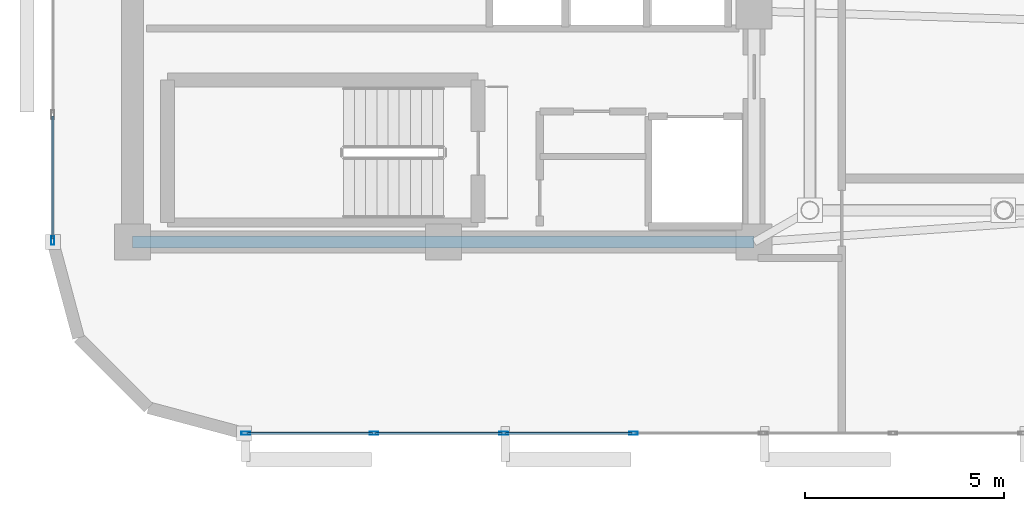
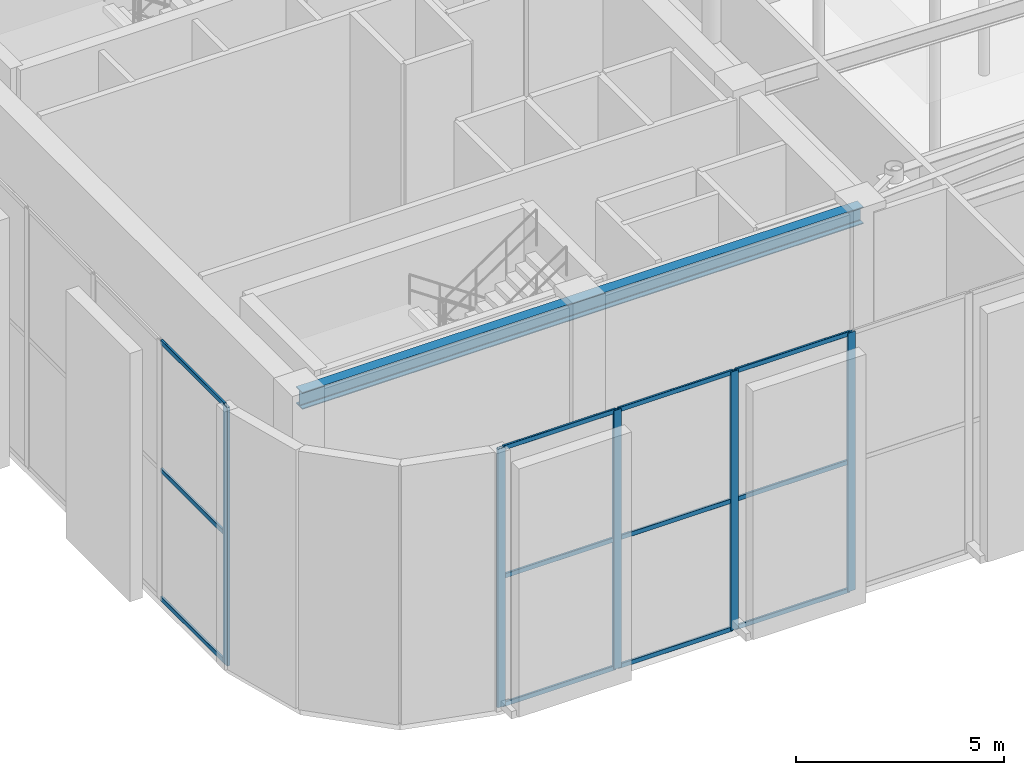
# One storey, part 2 of 22: 17 members, 1 beam, 2 elements without a shape of their own.
"""IFC4 building model written with IfcOpenShell, lengths in metres."""

from ifc_helpers import new_model, si_unit, direction, frame, origin, origin_2d, place, context, subcontext, project, spatial, hollow_rectangle, i_section, extrude, material, layer, layer_set, material_profile, profile_set, type_object, element, aggregate, save


model = new_model("IFC4")

# Units and contexts
model_context = context("Model", 3, precision=1e-05, world=origin(), true_north=direction((0.0, 1.0)))
body_context = subcontext(model_context, "Body", "Model", "MODEL_VIEW")
ifc_project = project(units=[si_unit("LENGTHUNIT", "METRE"), si_unit("AREAUNIT", "SQUARE_METRE"), si_unit("VOLUMEUNIT", "CUBIC_METRE"), si_unit("PLANEANGLEUNIT", "RADIAN"), si_unit("MASSUNIT", "GRAM", prefix="KILO")], contexts=[model_context])

# Site, building, storey
site_placement = place(None, origin())
site = spatial("IfcSite", under=ifc_project, at=site_placement, CompositionType="ELEMENT")
building_placement = place(site_placement, origin())
building = spatial("IfcBuilding", under=site, at=building_placement, Name="An Khanh Terracotta Commons", CompositionType="ELEMENT")
storey_placement = place(building_placement, frame((0.0, 0.0, 300.39990234375)))
storey = spatial("IfcBuildingStorey", under=building, at=storey_placement, Name="L78 Crown Damper Chamber", CompositionType="ELEMENT", Elevation=300.39990234375)

# Beam
ifc_material_1 = material(Name="Steel S355J2", Category="steel")
ifc_material_profile_1 = material_profile(ifc_material_1, i_section(OverallWidth=0.300048828125, OverallDepth=0.5, WebThickness=0.014404296875, FlangeThickness=0.028076171875, FilletRadius=0.027099609375, at=origin_2d()), Name="HEB500")
ifc_profile_set_1 = profile_set([ifc_material_profile_1], Name="Steel S355J2")
beam_type = type_object("IfcBeamType", Name="BM-HEB500", PredefinedType="BEAM", material=ifc_profile_set_1)
beam_placement = place(storey_placement, frame((21.60009765625, 14.39990234375, 7.130126953125), z_axis=(1.0, 0.0, 0.0), x_axis=(0.0, 1.0, 0.0)))
element("IfcBeam", 1, at=beam_placement, inside=storey, type_object=beam_type, Name="L78 Crown Damper Chamber Core South Coupling Girder", PredefinedType="BEAM", context=body_context, shape_type="SweptSolid", body=[
    extrude(i_section(OverallWidth=0.300048828125, OverallDepth=0.5, WebThickness=0.014404296875, FlangeThickness=0.028076171875, FilletRadius=0.027099609375, at=origin_2d()), origin(), (0.0, 0.0, 1.0), 15.599853515625),
])

# Curtain wall, members
ifc_material_2 = material(Name="Anodised Aluminium 6063-T6", Category="aluminium")
ifc_layer = layer(ifc_material_2, 0.25, Name="Anodised Aluminium 6063-T6")
ifc_layer_set = layer_set([ifc_layer], Name="Anodised Aluminium 6063-T6")
curtain_wall_type = type_object("IfcCurtainWallType", Name="CW-SYS-05", PredefinedType="USERDEFINED", material=ifc_layer_set)
curtain_wall_1_placement = place(storey_placement, origin())
curtain_wall_1 = element("IfcCurtainWall", 2, at=curtain_wall_1_placement, inside=storey, type_object=curtain_wall_type, Name="L78 Crown Damper Chamber CW-05 Unitised Curtain Wall CW-L78-04", ObjectType="UNITISED CURTAIN WALL", PredefinedType="USERDEFINED")
ifc_material_profile_2 = material_profile(ifc_material_2, hollow_rectangle(XDim=0.080078125, YDim=0.219970703125, WallThickness=0.0048828125, InnerFilletRadius=0.0048828125, OuterFilletRadius=0.010009765625, at=origin_2d()), Name="RHS220x80x5")
ifc_profile_set_2 = profile_set([ifc_material_profile_2], Name="Anodised Aluminium 6063-T6")
member_type_1 = type_object("IfcMemberType", Name="CWM-RHS220x80x5", PredefinedType="MULLION", material=ifc_profile_set_2)
member_1_placement = place(storey_placement, frame((24.43994140625, 9.60009765625, 0.0), z_axis=(0.0, 0.0, 1.0), x_axis=(0.0, 1.0, 0.0)))
member_1 = element("IfcMember", 3, at=member_1_placement, type_object=member_type_1, Name="CW-05 mullion 1", PredefinedType="MULLION", context=body_context, shape_type="SweptSolid", body=[
    extrude(hollow_rectangle(XDim=0.080078125, YDim=0.219970703125, WallThickness=0.0048828125, InnerFilletRadius=0.0048828125, OuterFilletRadius=0.010009765625, at=origin_2d()), origin(), (0.0, 0.0, 1.0), 7.60009765625),
])
member_2_placement = place(storey_placement, frame((27.65673828125, 9.60009765625, 0.0), z_axis=(0.0, 0.0, 1.0), x_axis=(0.0, 1.0, 0.0)))
member_2 = element("IfcMember", 4, at=member_2_placement, type_object=member_type_1, Name="CW-05 mullion 2", PredefinedType="MULLION", context=body_context, shape_type="SweptSolid", body=[
    extrude(hollow_rectangle(XDim=0.080078125, YDim=0.219970703125, WallThickness=0.0048828125, InnerFilletRadius=0.0048828125, OuterFilletRadius=0.010009765625, at=origin_2d()), origin(), (0.0, 0.0, 1.0), 7.60009765625),
])
member_3_placement = place(storey_placement, frame((30.91357421875, 9.60009765625, 0.0), z_axis=(0.0, 0.0, 1.0), x_axis=(0.0, 1.0, 0.0)))
member_3 = element("IfcMember", 5, at=member_3_placement, type_object=member_type_1, Name="CW-05 mullion 3", PredefinedType="MULLION", context=body_context, shape_type="SweptSolid", body=[
    extrude(hollow_rectangle(XDim=0.080078125, YDim=0.219970703125, WallThickness=0.0048828125, InnerFilletRadius=0.0048828125, OuterFilletRadius=0.010009765625, at=origin_2d()), origin(), (0.0, 0.0, 1.0), 7.60009765625),
])
member_4_placement = place(storey_placement, frame((34.17041015625, 9.60009765625, 0.0), z_axis=(0.0, 0.0, 1.0), x_axis=(0.0, 1.0, 0.0)))
member_4 = element("IfcMember", 6, at=member_4_placement, type_object=member_type_1, Name="CW-05 mullion 4", PredefinedType="MULLION", context=body_context, shape_type="SweptSolid", body=[
    extrude(hollow_rectangle(XDim=0.080078125, YDim=0.219970703125, WallThickness=0.0048828125, InnerFilletRadius=0.0048828125, OuterFilletRadius=0.010009765625, at=origin_2d()), origin(), (0.0, 0.0, 1.0), 7.60009765625),
])

# Curtain wall, member
curtain_wall_2_placement = place(storey_placement, origin())
curtain_wall_2 = element("IfcCurtainWall", 7, at=curtain_wall_2_placement, inside=storey, type_object=curtain_wall_type, Name="L78 Crown Damper Chamber CW-05 Unitised Curtain Wall CW-L78-24", ObjectType="UNITISED CURTAIN WALL", PredefinedType="USERDEFINED")
member_5_placement = place(storey_placement, frame((19.60009765625, 14.43994140625, 0.0), z_axis=(0.0, 0.0, 1.0), x_axis=(1.0, 0.0, 0.0)))
member_5 = element("IfcMember", 8, at=member_5_placement, type_object=member_type_1, Name="CW-05 mullion 7", PredefinedType="MULLION", context=body_context, shape_type="SweptSolid", body=[
    extrude(hollow_rectangle(XDim=0.080078125, YDim=0.219970703125, WallThickness=0.0048828125, InnerFilletRadius=0.0048828125, OuterFilletRadius=0.010009765625, at=origin_2d()), origin(), (0.0, 0.0, 1.0), 7.60009765625),
])

# Member
ifc_material_profile_3 = material_profile(ifc_material_2, hollow_rectangle(XDim=0.06005859375, YDim=0.135009765625, WallThickness=0.003662109375, InnerFilletRadius=0.003662109375, OuterFilletRadius=0.007080078125, at=origin_2d()), Name="RHS135x60x3.6")
ifc_profile_set_3 = profile_set([ifc_material_profile_3], Name="Anodised Aluminium 6063-T6")
member_type_2 = type_object("IfcMemberType", Name="CWT-RHS135x60x3.6", PredefinedType="USERDEFINED", material=ifc_profile_set_3)
member_6_placement = place(storey_placement, frame((24.47998046875, 9.60009765625, 0.030029296875), z_axis=(1.0, 0.0, 0.0), x_axis=(0.0, 1.0, 0.0)))
member_6 = element("IfcMember", 9, at=member_6_placement, type_object=member_type_2, Name="CW-05 transom 1.1", ObjectType="TRANSOM", PredefinedType="USERDEFINED", context=body_context, shape_type="SweptSolid", body=[
    extrude(hollow_rectangle(XDim=0.06005859375, YDim=0.135009765625, WallThickness=0.003662109375, InnerFilletRadius=0.003662109375, OuterFilletRadius=0.007080078125, at=origin_2d()), origin(), (0.0, 0.0, 1.0), 3.13671875),
])

member_7_placement = place(storey_placement, frame((24.47998046875, 9.60009765625, 3.800048828125), z_axis=(1.0, 0.0, 0.0), x_axis=(0.0, 1.0, 0.0)))
member_7 = element("IfcMember", 10, at=member_7_placement, type_object=member_type_2, Name="CW-05 transom 1.2", ObjectType="TRANSOM", PredefinedType="USERDEFINED", context=body_context, shape_type="SweptSolid", body=[
    extrude(hollow_rectangle(XDim=0.06005859375, YDim=0.135009765625, WallThickness=0.003662109375, InnerFilletRadius=0.003662109375, OuterFilletRadius=0.007080078125, at=origin_2d()), origin(), (0.0, 0.0, 1.0), 3.13671875),
])

member_8_placement = place(storey_placement, frame((24.47998046875, 9.60009765625, 7.570068359375), z_axis=(1.0, 0.0, 0.0), x_axis=(0.0, 1.0, 0.0)))
member_8 = element("IfcMember", 11, at=member_8_placement, type_object=member_type_2, Name="CW-05 transom 1.3", ObjectType="TRANSOM", PredefinedType="USERDEFINED", context=body_context, shape_type="SweptSolid", body=[
    extrude(hollow_rectangle(XDim=0.06005859375, YDim=0.135009765625, WallThickness=0.003662109375, InnerFilletRadius=0.003662109375, OuterFilletRadius=0.007080078125, at=origin_2d()), origin(), (0.0, 0.0, 1.0), 3.13671875),
])

member_9_placement = place(storey_placement, frame((27.69677734375, 9.60009765625, 0.030029296875), z_axis=(1.0, 0.0, 0.0), x_axis=(0.0, 1.0, 0.0)))
member_9 = element("IfcMember", 12, at=member_9_placement, type_object=member_type_2, Name="CW-05 transom 2.1", ObjectType="TRANSOM", PredefinedType="USERDEFINED", context=body_context, shape_type="SweptSolid", body=[
    extrude(hollow_rectangle(XDim=0.06005859375, YDim=0.135009765625, WallThickness=0.003662109375, InnerFilletRadius=0.003662109375, OuterFilletRadius=0.007080078125, at=origin_2d()), origin(), (0.0, 0.0, 1.0), 3.1767578125),
])

member_10_placement = place(storey_placement, frame((27.69677734375, 9.60009765625, 3.800048828125), z_axis=(1.0, 0.0, 0.0), x_axis=(0.0, 1.0, 0.0)))
member_10 = element("IfcMember", 13, at=member_10_placement, type_object=member_type_2, Name="CW-05 transom 2.2", ObjectType="TRANSOM", PredefinedType="USERDEFINED", context=body_context, shape_type="SweptSolid", body=[
    extrude(hollow_rectangle(XDim=0.06005859375, YDim=0.135009765625, WallThickness=0.003662109375, InnerFilletRadius=0.003662109375, OuterFilletRadius=0.007080078125, at=origin_2d()), origin(), (0.0, 0.0, 1.0), 3.1767578125),
])

member_11_placement = place(storey_placement, frame((27.69677734375, 9.60009765625, 7.570068359375), z_axis=(1.0, 0.0, 0.0), x_axis=(0.0, 1.0, 0.0)))
member_11 = element("IfcMember", 14, at=member_11_placement, type_object=member_type_2, Name="CW-05 transom 2.3", ObjectType="TRANSOM", PredefinedType="USERDEFINED", context=body_context, shape_type="SweptSolid", body=[
    extrude(hollow_rectangle(XDim=0.06005859375, YDim=0.135009765625, WallThickness=0.003662109375, InnerFilletRadius=0.003662109375, OuterFilletRadius=0.007080078125, at=origin_2d()), origin(), (0.0, 0.0, 1.0), 3.1767578125),
])

member_12_placement = place(storey_placement, frame((30.95361328125, 9.60009765625, 0.030029296875), z_axis=(1.0, 0.0, 0.0), x_axis=(0.0, 1.0, 0.0)))
member_12 = element("IfcMember", 15, at=member_12_placement, type_object=member_type_2, Name="CW-05 transom 3.1", ObjectType="TRANSOM", PredefinedType="USERDEFINED", context=body_context, shape_type="SweptSolid", body=[
    extrude(hollow_rectangle(XDim=0.06005859375, YDim=0.135009765625, WallThickness=0.003662109375, InnerFilletRadius=0.003662109375, OuterFilletRadius=0.007080078125, at=origin_2d()), origin(), (0.0, 0.0, 1.0), 3.1767578125),
])

member_13_placement = place(storey_placement, frame((30.95361328125, 9.60009765625, 3.800048828125), z_axis=(1.0, 0.0, 0.0), x_axis=(0.0, 1.0, 0.0)))
member_13 = element("IfcMember", 16, at=member_13_placement, type_object=member_type_2, Name="CW-05 transom 3.2", ObjectType="TRANSOM", PredefinedType="USERDEFINED", context=body_context, shape_type="SweptSolid", body=[
    extrude(hollow_rectangle(XDim=0.06005859375, YDim=0.135009765625, WallThickness=0.003662109375, InnerFilletRadius=0.003662109375, OuterFilletRadius=0.007080078125, at=origin_2d()), origin(), (0.0, 0.0, 1.0), 3.1767578125),
])

member_14_placement = place(storey_placement, frame((30.95361328125, 9.60009765625, 7.570068359375), z_axis=(1.0, 0.0, 0.0), x_axis=(0.0, 1.0, 0.0)))
member_14 = element("IfcMember", 17, at=member_14_placement, type_object=member_type_2, Name="CW-05 transom 3.3", ObjectType="TRANSOM", PredefinedType="USERDEFINED", context=body_context, shape_type="SweptSolid", body=[
    extrude(hollow_rectangle(XDim=0.06005859375, YDim=0.135009765625, WallThickness=0.003662109375, InnerFilletRadius=0.003662109375, OuterFilletRadius=0.007080078125, at=origin_2d()), origin(), (0.0, 0.0, 1.0), 3.1767578125),
])

aggregate(curtain_wall_1, [member_1, member_2, member_3, member_4, member_6, member_7, member_8, member_9, member_10, member_11, member_12, member_13, member_14])

member_15_placement = place(storey_placement, frame((19.60009765625, 17.56005859375, 0.030029296875), z_axis=(0.0, -1.0, 0.0), x_axis=(1.0, 0.0, 0.0)))
member_15 = element("IfcMember", 18, at=member_15_placement, type_object=member_type_2, Name="CW-05 transom 6.1", ObjectType="TRANSOM", PredefinedType="USERDEFINED", context=body_context, shape_type="SweptSolid", body=[
    extrude(hollow_rectangle(XDim=0.06005859375, YDim=0.135009765625, WallThickness=0.003662109375, InnerFilletRadius=0.003662109375, OuterFilletRadius=0.007080078125, at=origin_2d()), origin(), (0.0, 0.0, 1.0), 3.080078125),
])

member_16_placement = place(storey_placement, frame((19.60009765625, 17.56005859375, 3.800048828125), z_axis=(0.0, -1.0, 0.0), x_axis=(1.0, 0.0, 0.0)))
member_16 = element("IfcMember", 19, at=member_16_placement, type_object=member_type_2, Name="CW-05 transom 6.2", ObjectType="TRANSOM", PredefinedType="USERDEFINED", context=body_context, shape_type="SweptSolid", body=[
    extrude(hollow_rectangle(XDim=0.06005859375, YDim=0.135009765625, WallThickness=0.003662109375, InnerFilletRadius=0.003662109375, OuterFilletRadius=0.007080078125, at=origin_2d()), origin(), (0.0, 0.0, 1.0), 3.080078125),
])

member_17_placement = place(storey_placement, frame((19.60009765625, 17.56005859375, 7.570068359375), z_axis=(0.0, -1.0, 0.0), x_axis=(1.0, 0.0, 0.0)))
member_17 = element("IfcMember", 20, at=member_17_placement, type_object=member_type_2, Name="CW-05 transom 6.3", ObjectType="TRANSOM", PredefinedType="USERDEFINED", context=body_context, shape_type="SweptSolid", body=[
    extrude(hollow_rectangle(XDim=0.06005859375, YDim=0.135009765625, WallThickness=0.003662109375, InnerFilletRadius=0.003662109375, OuterFilletRadius=0.007080078125, at=origin_2d()), origin(), (0.0, 0.0, 1.0), 3.080078125),
])

aggregate(curtain_wall_2, [member_5, member_15, member_16, member_17])

save(model, "model.ifc")
